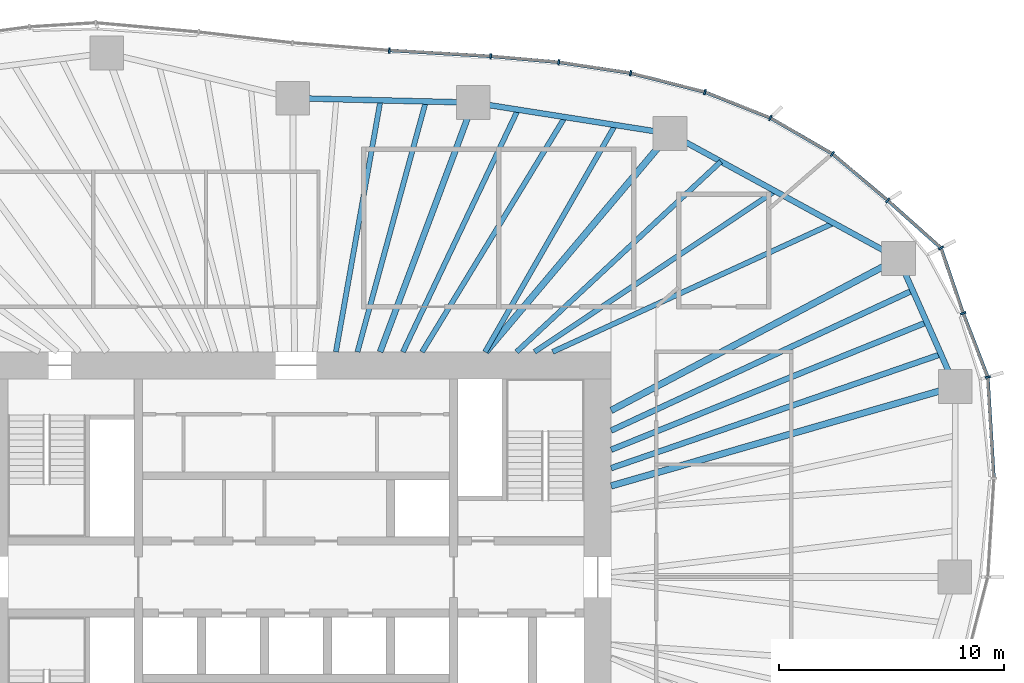
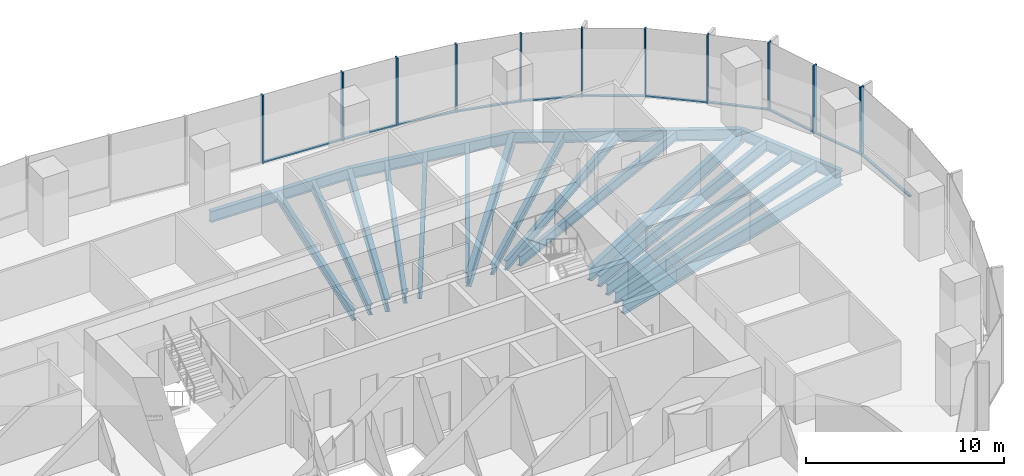
# One storey, part 6 of 18: 22 members, 19 beams, 5 elements without a shape of their own.
"""IFC4 building model written with IfcOpenShell, lengths in metres."""

from ifc_helpers import new_model, si_unit, direction, frame, origin, origin_2d, place, context, subcontext, project, spatial, rectangle, i_section, extrude, material, material_profile, profile_set, type_object, element, aggregate, save


model = new_model("IFC4")

# Units and contexts
model_context = context("Model", 3, precision=1e-05, world=origin(), true_north=direction((0.0, 1.0)))
body_context = subcontext(model_context, "Body", "Model", "MODEL_VIEW")
ifc_project = project(units=[si_unit("LENGTHUNIT", "METRE"), si_unit("AREAUNIT", "SQUARE_METRE"), si_unit("VOLUMEUNIT", "CUBIC_METRE"), si_unit("PLANEANGLEUNIT", "RADIAN"), si_unit("MASSUNIT", "GRAM", prefix="KILO")], contexts=[model_context])

# Site, building, storey
site_placement = place(None, origin())
site = spatial("IfcSite", under=ifc_project, at=site_placement, CompositionType="ELEMENT")
building_placement = place(site_placement, origin())
building = spatial("IfcBuilding", under=site, at=building_placement, Name="Ghaith Harvest Tower", CompositionType="ELEMENT")
storey_placement = place(building_placement, frame((0.0, 0.0, 126.0)))
storey = spatial("IfcBuildingStorey", under=building, at=storey_placement, Name="L26", CompositionType="ELEMENT", Elevation=126.0)

# Curtain wall, members
ifc_material_1 = material(Name="Black anodised aluminium and fritted glass", Category="aluminium")
curtain_wall_type = type_object("IfcCurtainWallType", Name="CW-L CURTAIN WALL", PredefinedType="NOTDEFINED", material=ifc_material_1)
curtain_wall_1_placement = place(storey_placement, origin())
curtain_wall_1 = element("IfcCurtainWall", 1, at=curtain_wall_1_placement, inside=storey, type_object=curtain_wall_type, Name="Curtain wall CW-L bay 02 L26", PredefinedType="NOTDEFINED")
ifc_material_2 = material(Name="Aluminium, black anodised", Category="aluminium")
ifc_material_profile_1 = material_profile(ifc_material_2, rectangle(XDim=0.080078125, YDim=0.239990234375, at=origin_2d()), Name="CW-L MULLION 80x240")
ifc_profile_set_1 = profile_set([ifc_material_profile_1], Name="Aluminium, black anodised")
member_type_1 = type_object("IfcMemberType", Name="CW-L MULLION 80x240", PredefinedType="MULLION", material=ifc_profile_set_1)
member_1_placement = place(storey_placement, frame((30.727294921875, 8.880859375, 0.0), z_axis=(0.0, 0.0, 1.0), x_axis=(-0.183070248196, 0.983099834313, 0.0)))
member_1 = element("IfcMember", 2, at=member_1_placement, type_object=member_type_1, Name="CW-L mullion 1 bay 02 L26", PredefinedType="MULLION", context=body_context, shape_type="SweptSolid", body=[
    extrude(rectangle(XDim=0.080078125, YDim=0.239990234375, at=origin_2d()), origin(), (0.0, 0.0, 1.0), 4.199951171875),
])
member_2_placement = place(storey_placement, frame((29.634521484375, 11.7158203125, 0.0), z_axis=(0.0, 0.0, 1.0), x_axis=(-0.340771198528, 0.940146260033, 0.0)))
member_2 = element("IfcMember", 3, at=member_2_placement, type_object=member_type_1, Name="CW-L mullion 2 bay 02 L26", PredefinedType="MULLION", context=body_context, shape_type="SweptSolid", body=[
    extrude(rectangle(XDim=0.080078125, YDim=0.239990234375, at=origin_2d()), origin(), (0.0, 0.0, 1.0), 4.199951171875),
])
member_3_placement = place(storey_placement, frame((28.64990234375, 14.61181640625, 0.0), z_axis=(0.0, 0.0, 1.0), x_axis=(-0.556324287652, 0.830965274225, 0.0)))
member_3 = element("IfcMember", 4, at=member_3_placement, type_object=member_type_1, Name="CW-L mullion 3 bay 02 L26", PredefinedType="MULLION", context=body_context, shape_type="SweptSolid", body=[
    extrude(rectangle(XDim=0.080078125, YDim=0.239990234375, at=origin_2d()), origin(), (0.0, 0.0, 1.0), 4.199951171875),
])

curtain_wall_2_placement = place(storey_placement, origin())
curtain_wall_2 = element("IfcCurtainWall", 5, at=curtain_wall_2_placement, inside=storey, type_object=curtain_wall_type, Name="Curtain wall CW-L bay 03 L26", PredefinedType="NOTDEFINED")
member_4_placement = place(storey_placement, frame((26.28076171875, 16.725341796875, 0.0), z_axis=(0.0, 0.0, 1.0), x_axis=(-0.755999423268, 0.654572281737, 0.0)))
member_4 = element("IfcMember", 6, at=member_4_placement, type_object=member_type_1, Name="CW-L mullion 1 bay 03 L26", PredefinedType="MULLION", context=body_context, shape_type="SweptSolid", body=[
    extrude(rectangle(XDim=0.080078125, YDim=0.239990234375, at=origin_2d()), origin(), (0.0, 0.0, 1.0), 4.199951171875),
])
member_5_placement = place(storey_placement, frame((23.82177734375, 18.792236328125, 0.0), z_axis=(0.0, 0.0, 1.0), x_axis=(-0.818228862146, 0.574892624018, 0.0)))
member_5 = element("IfcMember", 7, at=member_5_placement, type_object=member_type_1, Name="CW-L mullion 2 bay 03 L26", PredefinedType="MULLION", context=body_context, shape_type="SweptSolid", body=[
    extrude(rectangle(XDim=0.080078125, YDim=0.239990234375, at=origin_2d()), origin(), (0.0, 0.0, 1.0), 4.199951171875),
])
member_6_placement = place(storey_placement, frame((21.066162109375, 20.38916015625, 0.0), z_axis=(0.0, 0.0, 1.0), x_axis=(-0.899713343282, 0.436481270985, 0.0)))
member_6 = element("IfcMember", 8, at=member_6_placement, type_object=member_type_1, Name="CW-L mullion 3 bay 03 L26", PredefinedType="MULLION", context=body_context, shape_type="SweptSolid", body=[
    extrude(rectangle(XDim=0.080078125, YDim=0.239990234375, at=origin_2d()), origin(), (0.0, 0.0, 1.0), 4.199951171875),
])

curtain_wall_3_placement = place(storey_placement, origin())
curtain_wall_3 = element("IfcCurtainWall", 9, at=curtain_wall_3_placement, inside=storey, type_object=curtain_wall_type, Name="Curtain wall CW-L bay 04 L26", PredefinedType="NOTDEFINED")
member_7_placement = place(storey_placement, frame((18.162353515625, 21.537841796875, 0.0), z_axis=(0.0, 0.0, 1.0), x_axis=(-0.952152258113, 0.30562407852, 0.0)))
member_7 = element("IfcMember", 10, at=member_7_placement, type_object=member_type_1, Name="CW-L mullion 1 bay 04 L26", PredefinedType="MULLION", context=body_context, shape_type="SweptSolid", body=[
    extrude(rectangle(XDim=0.080078125, YDim=0.239990234375, at=origin_2d()), origin(), (0.0, 0.0, 1.0), 4.199951171875),
])
member_8_placement = place(storey_placement, frame((14.86474609375, 22.379638671875, 0.0), z_axis=(0.0, 0.0, 1.0), x_axis=(-0.979751952122, 0.200215165041, 0.0)))
member_8 = element("IfcMember", 11, at=member_8_placement, type_object=member_type_1, Name="CW-L mullion 2 bay 04 L26", PredefinedType="MULLION", context=body_context, shape_type="SweptSolid", body=[
    extrude(rectangle(XDim=0.080078125, YDim=0.239990234375, at=origin_2d()), origin(), (0.0, 0.0, 1.0), 4.199951171875),
])
member_9_placement = place(storey_placement, frame((11.672607421875, 22.864013671875, 0.0), z_axis=(0.0, 0.0, 1.0), x_axis=(-0.992800497873, 0.119779678673, 0.0)))
member_9 = element("IfcMember", 12, at=member_9_placement, type_object=member_type_1, Name="CW-L mullion 3 bay 04 L26", PredefinedType="MULLION", context=body_context, shape_type="SweptSolid", body=[
    extrude(rectangle(XDim=0.080078125, YDim=0.239990234375, at=origin_2d()), origin(), (0.0, 0.0, 1.0), 4.199951171875),
])

curtain_wall_4_placement = place(storey_placement, origin())
curtain_wall_4 = element("IfcCurtainWall", 13, at=curtain_wall_4_placement, inside=storey, type_object=curtain_wall_type, Name="Curtain wall CW-L bay 05 L26", PredefinedType="NOTDEFINED")
member_10_placement = place(storey_placement, frame((8.646728515625, 23.1298828125, 0.0), z_axis=(0.0, 0.0, 1.0), x_axis=(-0.997558767319, 0.069831982257, 0.0)))
member_10 = element("IfcMember", 14, at=member_10_placement, type_object=member_type_1, Name="CW-L mullion 1 bay 05 L26", PredefinedType="MULLION", context=body_context, shape_type="SweptSolid", body=[
    extrude(rectangle(XDim=0.080078125, YDim=0.239990234375, at=origin_2d()), origin(), (0.0, 0.0, 1.0), 4.199951171875),
])
member_11_placement = place(storey_placement, frame((4.146728515625, 23.390869140625, 0.0), z_axis=(0.0, 0.0, 1.0), x_axis=(-0.997689895047, 0.067932858925, 0.0)))
member_11 = element("IfcMember", 15, at=member_11_placement, type_object=member_type_1, Name="CW-L mullion 2 bay 05 L26", PredefinedType="MULLION", context=body_context, shape_type="SweptSolid", body=[
    extrude(rectangle(XDim=0.080078125, YDim=0.239990234375, at=origin_2d()), origin(), (0.0, 0.0, 1.0), 4.199951171875),
])

# Curtain wall, member
curtain_wall_5_placement = place(storey_placement, origin())
curtain_wall_5 = element("IfcCurtainWall", 16, at=curtain_wall_5_placement, inside=storey, type_object=curtain_wall_type, Name="Curtain wall CW-L bay 01 L26", PredefinedType="NOTDEFINED")
ifc_material_3 = material(Name="Aluminium, black anodised", Category="aluminium")
ifc_material_profile_2 = material_profile(ifc_material_3, rectangle(XDim=0.14990234375, YDim=0.080078125, at=origin_2d()), Name="CW-L TRANSOM 150x80")
ifc_profile_set_2 = profile_set([ifc_material_profile_2], Name="Aluminium, black anodised")
member_type_2 = type_object("IfcMemberType", Name="CW-L TRANSOM 150x80", PredefinedType="USERDEFINED", material=ifc_profile_set_2)
member_12_placement = place(storey_placement, frame((30.996337890625, 4.4296875, 0.0400390625), z_axis=(-0.060328261132, 0.99817859169, 0.0), x_axis=(-0.99817859169, -0.060328261132, 0.0)))
member_12 = element("IfcMember", 17, at=member_12_placement, type_object=member_type_2, Name="CW-L transom 2 bay 01 L26", ObjectType="TRANSOM", PredefinedType="USERDEFINED", context=body_context, shape_type="SweptSolid", body=[
    extrude(rectangle(XDim=0.14990234375, YDim=0.080078125, at=origin_2d()), origin(), (0.0, 0.0, 1.0), 4.419189453125),
])
aggregate(curtain_wall_5, [member_12])

# Member
member_13_placement = place(storey_placement, frame((30.712890625, 8.918212890625, 0.0400390625), z_axis=(-0.359637050526, 0.933092274048, 0.0), x_axis=(-0.933092274048, -0.359637050526, 0.0)))
member_13 = element("IfcMember", 18, at=member_13_placement, type_object=member_type_2, Name="CW-L transom 1 bay 02 L26", ObjectType="TRANSOM", PredefinedType="USERDEFINED", context=body_context, shape_type="SweptSolid", body=[
    extrude(rectangle(XDim=0.14990234375, YDim=0.080078125, at=origin_2d()), origin(), (0.0, 0.0, 1.0), 2.95849609375),
])

member_14_placement = place(storey_placement, frame((29.62158203125, 11.75390625, 0.0400390625), z_axis=(-0.321877752664, 0.946781237847, 0.0), x_axis=(-0.946781237847, -0.321877752664, 0.0)))
member_14 = element("IfcMember", 19, at=member_14_placement, type_object=member_type_2, Name="CW-L transom 2 bay 02 L26", ObjectType="TRANSOM", PredefinedType="USERDEFINED", context=body_context, shape_type="SweptSolid", body=[
    extrude(rectangle(XDim=0.14990234375, YDim=0.080078125, at=origin_2d()), origin(), (0.0, 0.0, 1.0), 2.978515625),
])

member_15_placement = place(storey_placement, frame((28.6201171875, 14.638427734375, 0.0400390625), z_axis=(-0.74622871112, 0.665689650438, 0.0), x_axis=(-0.665689650438, -0.74622871112, 0.0)))
member_15 = element("IfcMember", 20, at=member_15_placement, type_object=member_type_2, Name="CW-L transom 3 bay 02 L26", ObjectType="TRANSOM", PredefinedType="USERDEFINED", context=body_context, shape_type="SweptSolid", body=[
    extrude(rectangle(XDim=0.14990234375, YDim=0.080078125, at=origin_2d()), origin(), (0.0, 0.0, 1.0), 3.094970703125),
])

aggregate(curtain_wall_1, [member_1, member_13, member_2, member_14, member_3, member_15])

member_16_placement = place(storey_placement, frame((26.25, 16.7509765625, 0.0400390625), z_axis=(-0.765428400685, 0.643521066808, 0.0), x_axis=(-0.643521066808, -0.765428400685, 0.0)))
member_16 = element("IfcMember", 21, at=member_16_placement, type_object=member_type_2, Name="CW-L transom 1 bay 03 L26", ObjectType="TRANSOM", PredefinedType="USERDEFINED", context=body_context, shape_type="SweptSolid", body=[
    extrude(rectangle(XDim=0.14990234375, YDim=0.080078125, at=origin_2d()), origin(), (0.0, 0.0, 1.0), 3.132080078125),
])

member_17_placement = place(storey_placement, frame((23.787353515625, 18.812255859375, 0.0400390625), z_axis=(-0.865212673937, 0.50140505468, 0.0), x_axis=(-0.50140505468, -0.865212673937, 0.0)))
member_17 = element("IfcMember", 22, at=member_17_placement, type_object=member_type_2, Name="CW-L transom 2 bay 03 L26", ObjectType="TRANSOM", PredefinedType="USERDEFINED", context=body_context, shape_type="SweptSolid", body=[
    extrude(rectangle(XDim=0.14990234375, YDim=0.080078125, at=origin_2d()), origin(), (0.0, 0.0, 1.0), 3.10498046875),
])

member_18_placement = place(storey_placement, frame((21.029052734375, 20.40380859375, 0.0400390625), z_axis=(-0.929880954826, 0.367860584804, 0.0), x_axis=(-0.367860584804, -0.929880954826, 0.0)))
member_18 = element("IfcMember", 23, at=member_18_placement, type_object=member_type_2, Name="CW-L transom 3 bay 03 L26", ObjectType="TRANSOM", PredefinedType="USERDEFINED", context=body_context, shape_type="SweptSolid", body=[
    extrude(rectangle(XDim=0.14990234375, YDim=0.080078125, at=origin_2d()), origin(), (0.0, 0.0, 1.0), 3.04296875),
])

aggregate(curtain_wall_2, [member_4, member_16, member_5, member_17, member_6, member_18])

member_19_placement = place(storey_placement, frame((18.12353515625, 21.5478515625, 0.0400390625), z_axis=(-0.968942433805, 0.247286392614, 0.0), x_axis=(-0.247286392614, -0.968942433805, 0.0)))
member_19 = element("IfcMember", 24, at=member_19_placement, type_object=member_type_2, Name="CW-L transom 1 bay 04 L26", ObjectType="TRANSOM", PredefinedType="USERDEFINED", context=body_context, shape_type="SweptSolid", body=[
    extrude(rectangle(XDim=0.14990234375, YDim=0.080078125, at=origin_2d()), origin(), (0.0, 0.0, 1.0), 3.3232421875),
])

member_20_placement = place(storey_placement, frame((14.8251953125, 22.3857421875, 0.0400390625), z_axis=(-0.988680676153, 0.150035064572, 0.0), x_axis=(-0.150035064572, -0.988680676153, 0.0)))
member_20 = element("IfcMember", 25, at=member_20_placement, type_object=member_type_2, Name="CW-L transom 2 bay 04 L26", ObjectType="TRANSOM", PredefinedType="USERDEFINED", context=body_context, shape_type="SweptSolid", body=[
    extrude(rectangle(XDim=0.14990234375, YDim=0.080078125, at=origin_2d()), origin(), (0.0, 0.0, 1.0), 3.148681640625),
])

member_21_placement = place(storey_placement, frame((11.632568359375, 22.86767578125, 0.0400390625), z_axis=(-0.996171193061, 0.087423990507, 0.0), x_axis=(-0.087423990507, -0.996171193061, 0.0)))
member_21 = element("IfcMember", 26, at=member_21_placement, type_object=member_type_2, Name="CW-L transom 3 bay 04 L26", ObjectType="TRANSOM", PredefinedType="USERDEFINED", context=body_context, shape_type="SweptSolid", body=[
    extrude(rectangle(XDim=0.14990234375, YDim=0.080078125, at=origin_2d()), origin(), (0.0, 0.0, 1.0), 2.957275390625),
])

aggregate(curtain_wall_3, [member_7, member_19, member_8, member_20, member_9, member_21])

member_22_placement = place(storey_placement, frame((8.60693359375, 23.132080078125, 0.0400390625), z_axis=(-0.998319515187, 0.057949509028, 0.0), x_axis=(-0.057949509028, -0.998319515187, 0.0)))
member_22 = element("IfcMember", 27, at=member_22_placement, type_object=member_type_2, Name="CW-L transom 1 bay 05 L26", ObjectType="TRANSOM", PredefinedType="USERDEFINED", context=body_context, shape_type="SweptSolid", body=[
    extrude(rectangle(XDim=0.14990234375, YDim=0.080078125, at=origin_2d()), origin(), (0.0, 0.0, 1.0), 4.427734375),
])

aggregate(curtain_wall_4, [member_10, member_22, member_11])

# Beams
ifc_material_4 = material(Name="Steel ASTM A992 Grade 50", Category="steel")
ifc_material_profile_3 = material_profile(ifc_material_4, i_section(OverallWidth=0.25390625, OverallDepth=0.68408203125, WebThickness=0.012451171875, FlangeThickness=0.018798828125, at=origin_2d()), Name="W690X140")
ifc_profile_set_3 = profile_set([ifc_material_profile_3], Name="Steel ASTM A992 Grade 50")
beam_type_1 = type_object("IfcBeamType", Name="E690-140 W690X140", PredefinedType="SPANDREL", material=ifc_profile_set_3)
beam_1_placement = place(storey_placement, frame((29.285888671875, 8.464111328125, -0.511962890625), z_axis=(-0.405635615749, 0.914034872002, 0.0), x_axis=(-0.914034872002, -0.405635615749, 0.0)))
element("IfcBeam", 28, at=beam_1_placement, inside=storey, type_object=beam_type_1, Name="Edge beam E02 L26", PredefinedType="SPANDREL", context=body_context, shape_type="SweptSolid", body=[
    extrude(i_section(OverallWidth=0.25390625, OverallDepth=0.68408203125, WebThickness=0.012451171875, FlangeThickness=0.018798828125, at=origin_2d()), origin(), (0.0, 0.0, 1.0), 6.21728515625),
])
beam_2_placement = place(storey_placement, frame((26.763916015625, 14.14697265625, -0.511962890625), z_axis=(-0.877588218279, 0.479415184509, 0.0), x_axis=(-0.479415184509, -0.877588218279, 0.0)))
element("IfcBeam", 29, at=beam_2_placement, inside=storey, type_object=beam_type_1, Name="Edge beam E03 L26", PredefinedType="SPANDREL", context=body_context, shape_type="SweptSolid", body=[
    extrude(i_section(OverallWidth=0.25390625, OverallDepth=0.68408203125, WebThickness=0.012451171875, FlangeThickness=0.018798828125, at=origin_2d()), origin(), (0.0, 0.0, 1.0), 11.57275390625),
])
beam_3_placement = place(storey_placement, frame((16.60791015625, 19.695068359375, -0.511962890625), z_axis=(-0.987788485872, 0.155800857439, 0.0), x_axis=(-0.155800857439, -0.987788485872, 0.0)))
element("IfcBeam", 30, at=beam_3_placement, inside=storey, type_object=beam_type_1, Name="Edge beam E04 L26", PredefinedType="SPANDREL", context=body_context, shape_type="SweptSolid", body=[
    extrude(i_section(OverallWidth=0.25390625, OverallDepth=0.68408203125, WebThickness=0.012451171875, FlangeThickness=0.018798828125, at=origin_2d()), origin(), (0.0, 0.0, 1.0), 8.837890625),
])
beam_4_placement = place(storey_placement, frame((7.8779296875, 21.072021484375, -0.511962890625), z_axis=(-0.999692679676, 0.024790042413, 0.0), x_axis=(-0.024790042413, -0.999692679676, 0.0)))
element("IfcBeam", 31, at=beam_4_placement, inside=storey, type_object=beam_type_1, Name="Edge beam E05 L26", PredefinedType="SPANDREL", context=body_context, shape_type="SweptSolid", body=[
    extrude(i_section(OverallWidth=0.25390625, OverallDepth=0.68408203125, WebThickness=0.012451171875, FlangeThickness=0.018798828125, at=origin_2d()), origin(), (0.0, 0.0, 1.0), 8.0263671875),
])
ifc_material_5 = material(Name="Steel ASTM A992 Grade 50", Category="steel")
ifc_material_profile_4 = material_profile(ifc_material_5, i_section(OverallWidth=0.26806640625, OverallDepth=0.77001953125, WebThickness=0.015625, FlangeThickness=0.025390625, at=origin_2d()), Name="W760X196")
ifc_profile_set_4 = profile_set([ifc_material_profile_4], Name="Steel ASTM A992 Grade 50")
beam_type_2 = type_object("IfcBeamType", Name="G760-196 W760X196", PredefinedType="BEAM", material=ifc_profile_set_4)
beam_5_placement = place(storey_placement, frame((3.73828125, 10.0, -0.554931640625), z_axis=(0.350206582147, 0.936672488024, 0.0), x_axis=(-0.936672488024, 0.350206582147, 0.0)))
element("IfcBeam", 32, at=beam_5_placement, inside=storey, type_object=beam_type_2, Name="Radial girder G05 L26", PredefinedType="BEAM", context=body_context, shape_type="SweptSolid", body=[
    extrude(i_section(OverallWidth=0.26806640625, OverallDepth=0.77001953125, WebThickness=0.015625, FlangeThickness=0.025390625, at=origin_2d()), origin(), (0.0, 0.0, 1.0), 11.820556640625),
])
ifc_material_6 = material(Name="Steel ASTM A992 Grade 50", Category="steel")
ifc_material_profile_5 = material_profile(ifc_material_6, i_section(OverallWidth=0.2939453125, OverallDepth=0.85107421875, WebThickness=0.01611328125, FlangeThickness=0.02685546875, at=origin_2d()), Name="W840X226")
ifc_profile_set_5 = profile_set([ifc_material_profile_5], Name="Steel ASTM A992 Grade 50")
beam_type_3 = type_object("IfcBeamType", Name="G840-226 W840X226", PredefinedType="BEAM", material=ifc_profile_set_5)
beam_6_placement = place(storey_placement, frame((14.0, 4.04638671875, -0.595458984375), z_axis=(0.960683993303, 0.27764413376, 0.0), x_axis=(-0.27764413376, 0.960683993303, 0.0)))
element("IfcBeam", 33, at=beam_6_placement, inside=storey, type_object=beam_type_3, Name="Radial girder G02 L26", PredefinedType="BEAM", context=body_context, shape_type="SweptSolid", body=[
    extrude(i_section(OverallWidth=0.2939453125, OverallDepth=0.85107421875, WebThickness=0.01611328125, FlangeThickness=0.02685546875, at=origin_2d()), origin(), (0.0, 0.0, 1.0), 15.911376953125),
])
beam_7_placement = place(storey_placement, frame((14.0, 7.39990234375, -0.595458984375), z_axis=(0.884082663971, 0.467330550324, 0.0), x_axis=(-0.467330550324, 0.884082663971, 0.0)))
element("IfcBeam", 34, at=beam_7_placement, inside=storey, type_object=beam_type_3, Name="Radial girder G03 L26", PredefinedType="BEAM", context=body_context, shape_type="SweptSolid", body=[
    extrude(i_section(OverallWidth=0.2939453125, OverallDepth=0.85107421875, WebThickness=0.01611328125, FlangeThickness=0.02685546875, at=origin_2d()), origin(), (0.0, 0.0, 1.0), 14.4375),
])
beam_8_placement = place(storey_placement, frame((8.4326171875, 10.0, -0.595458984375), z_axis=(0.644644245772, 0.764482698557, 0.0), x_axis=(-0.764482698557, 0.644644245772, 0.0)))
element("IfcBeam", 35, at=beam_8_placement, inside=storey, type_object=beam_type_3, Name="Radial girder G04 L26", PredefinedType="BEAM", context=body_context, shape_type="SweptSolid", body=[
    extrude(i_section(OverallWidth=0.2939453125, OverallDepth=0.85107421875, WebThickness=0.01611328125, FlangeThickness=0.02685546875, at=origin_2d()), origin(), (0.0, 0.0, 1.0), 12.681884765625),
])
ifc_material_7 = material(Name="Steel ASTM A992 Grade 50", Category="steel")
ifc_material_profile_6 = material_profile(ifc_material_7, i_section(OverallWidth=0.22900390625, OverallDepth=0.612060546875, WebThickness=0.011962890625, FlangeThickness=0.01953125, at=origin_2d()), Name="W610X125")
ifc_profile_set_6 = profile_set([ifc_material_profile_6], Name="Steel ASTM A992 Grade 50")
beam_type_4 = type_object("IfcBeamType", Name="J610-125 W610X125", PredefinedType="JOIST", material=ifc_profile_set_6)
beam_9_placement = place(storey_placement, frame((11.39990234375, 10.0, -0.47607421875), z_axis=(0.909014022454, 0.416765529983, 0.0), x_axis=(-0.416765529983, 0.909014022454, 0.0)))
element("IfcBeam", 36, at=beam_9_placement, inside=storey, type_object=beam_type_4, Name="Joist J03.1 L26", PredefinedType="JOIST", context=body_context, shape_type="SweptSolid", body=[
    extrude(i_section(OverallWidth=0.22900390625, OverallDepth=0.612060546875, WebThickness=0.011962890625, FlangeThickness=0.01953125, at=origin_2d()), origin(), (0.0, 0.0, 1.0), 13.72998046875),
])
beam_10_placement = place(storey_placement, frame((10.60009765625, 10.0, -0.47607421875), z_axis=(0.831116486766, 0.556098359489, 0.0), x_axis=(-0.556098359489, 0.831116486766, 0.0)))
element("IfcBeam", 37, at=beam_10_placement, inside=storey, type_object=beam_type_4, Name="Joist J03.2 L26", PredefinedType="JOIST", context=body_context, shape_type="SweptSolid", body=[
    extrude(i_section(OverallWidth=0.22900390625, OverallDepth=0.612060546875, WebThickness=0.011962890625, FlangeThickness=0.01953125, at=origin_2d()), origin(), (0.0, 0.0, 1.0), 12.84716796875),
])
beam_11_placement = place(storey_placement, frame((9.800048828125, 10.0, -0.47607421875), z_axis=(0.731538123562, 0.681800538116, 0.0), x_axis=(-0.681800538116, 0.731538123562, 0.0)))
element("IfcBeam", 38, at=beam_11_placement, inside=storey, type_object=beam_type_4, Name="Joist J03.3 L26", PredefinedType="JOIST", context=body_context, shape_type="SweptSolid", body=[
    extrude(i_section(OverallWidth=0.22900390625, OverallDepth=0.612060546875, WebThickness=0.011962890625, FlangeThickness=0.01953125, at=origin_2d()), origin(), (0.0, 0.0, 1.0), 12.404052734375),
])
beam_12_placement = place(storey_placement, frame((8.39990234375, 10.0, -0.47607421875), z_axis=(0.497444212127, 0.867495968764, 0.0), x_axis=(-0.867495968764, 0.497444212127, 0.0)))
element("IfcBeam", 39, at=beam_12_placement, inside=storey, type_object=beam_type_4, Name="Joist J04.1 L26", PredefinedType="JOIST", context=body_context, shape_type="SweptSolid", body=[
    extrude(i_section(OverallWidth=0.22900390625, OverallDepth=0.612060546875, WebThickness=0.011962890625, FlangeThickness=0.01953125, at=origin_2d()), origin(), (0.0, 0.0, 1.0), 11.617431640625),
])
beam_13_placement = place(storey_placement, frame((5.60009765625, 10.0, -0.47607421875), z_axis=(0.519863845761, 0.854249133374, 0.0), x_axis=(-0.854249133374, 0.519863845761, 0.0)))
element("IfcBeam", 40, at=beam_13_placement, inside=storey, type_object=beam_type_4, Name="Joist J04.2 L26", PredefinedType="JOIST", context=body_context, shape_type="SweptSolid", body=[
    extrude(i_section(OverallWidth=0.22900390625, OverallDepth=0.612060546875, WebThickness=0.011962890625, FlangeThickness=0.01953125, at=origin_2d()), origin(), (0.0, 0.0, 1.0), 12.209716796875),
])
beam_14_placement = place(storey_placement, frame((4.75, 10.0, -0.47607421875), z_axis=(0.429069356877, 0.903271546651, 0.0), x_axis=(-0.903271546651, 0.429069356877, 0.0)))
element("IfcBeam", 41, at=beam_14_placement, inside=storey, type_object=beam_type_4, Name="Joist J04.3 L26", PredefinedType="JOIST", context=body_context, shape_type="SweptSolid", body=[
    extrude(i_section(OverallWidth=0.22900390625, OverallDepth=0.612060546875, WebThickness=0.011962890625, FlangeThickness=0.01953125, at=origin_2d()), origin(), (0.0, 0.0, 1.0), 11.911376953125),
])
beam_15_placement = place(storey_placement, frame((2.73095703125, 10.0, -0.47607421875), z_axis=(0.263455967932, 0.964671422279, 0.0), x_axis=(-0.964671422279, 0.263455967932, 0.0)))
element("IfcBeam", 42, at=beam_15_placement, inside=storey, type_object=beam_type_4, Name="Joist J05.1 L26", PredefinedType="JOIST", context=body_context, shape_type="SweptSolid", body=[
    extrude(i_section(OverallWidth=0.22900390625, OverallDepth=0.612060546875, WebThickness=0.011962890625, FlangeThickness=0.01953125, at=origin_2d()), origin(), (0.0, 0.0, 1.0), 11.53173828125),
])
beam_16_placement = place(storey_placement, frame((1.772705078125, 10.0, -0.47607421875), z_axis=(0.17455599258, 0.984647249249, 0.0), x_axis=(-0.984647249249, 0.17455599258, 0.0)))
element("IfcBeam", 43, at=beam_16_placement, inside=storey, type_object=beam_type_4, Name="Joist J05.2 L26", PredefinedType="JOIST", context=body_context, shape_type="SweptSolid", body=[
    extrude(i_section(OverallWidth=0.22900390625, OverallDepth=0.612060546875, WebThickness=0.011962890625, FlangeThickness=0.01953125, at=origin_2d()), origin(), (0.0, 0.0, 1.0), 11.3486328125),
])
ifc_material_8 = material(Name="Steel ASTM A992 Grade 50", Category="steel")
ifc_material_profile_7 = material_profile(ifc_material_8, i_section(OverallWidth=0.25390625, OverallDepth=0.68408203125, WebThickness=0.012451171875, FlangeThickness=0.018798828125, at=origin_2d()), Name="W690X140")
ifc_profile_set_7 = profile_set([ifc_material_profile_7], Name="Steel ASTM A992 Grade 50")
beam_type_5 = type_object("IfcBeamType", Name="J690-140 W690X140", PredefinedType="JOIST", material=ifc_profile_set_7)
beam_17_placement = place(storey_placement, frame((14.0, 4.835693359375, -0.511962890625), z_axis=(0.945204964965, 0.32647752481, 0.0), x_axis=(-0.32647752481, 0.945204964965, 0.0)))
element("IfcBeam", 44, at=beam_17_placement, inside=storey, type_object=beam_type_5, Name="Joist J02.1 L26", PredefinedType="JOIST", context=body_context, shape_type="SweptSolid", body=[
    extrude(i_section(OverallWidth=0.25390625, OverallDepth=0.68408203125, WebThickness=0.012451171875, FlangeThickness=0.018798828125, at=origin_2d()), origin(), (0.0, 0.0, 1.0), 15.499755859375),
])
beam_18_placement = place(storey_placement, frame((14.0, 5.653564453125, -0.511962890625), z_axis=(0.927247874511, 0.374448099495, 0.0), x_axis=(-0.374448099495, 0.927247874511, 0.0)))
element("IfcBeam", 45, at=beam_18_placement, inside=storey, type_object=beam_type_5, Name="Joist J02.2 L26", PredefinedType="JOIST", context=body_context, shape_type="SweptSolid", body=[
    extrude(i_section(OverallWidth=0.25390625, OverallDepth=0.68408203125, WebThickness=0.012451171875, FlangeThickness=0.018798828125, at=origin_2d()), origin(), (0.0, 0.0, 1.0), 15.12060546875),
])
beam_19_placement = place(storey_placement, frame((14.0, 6.506103515625, -0.511962890625), z_axis=(0.906865717917, 0.42141970726, 0.0), x_axis=(-0.42141970726, 0.906865717917, 0.0)))
element("IfcBeam", 46, at=beam_19_placement, inside=storey, type_object=beam_type_5, Name="Joist J02.3 L26", PredefinedType="JOIST", context=body_context, shape_type="SweptSolid", body=[
    extrude(i_section(OverallWidth=0.25390625, OverallDepth=0.68408203125, WebThickness=0.012451171875, FlangeThickness=0.018798828125, at=origin_2d()), origin(), (0.0, 0.0, 1.0), 14.768310546875),
])

save(model, "model.ifc")
